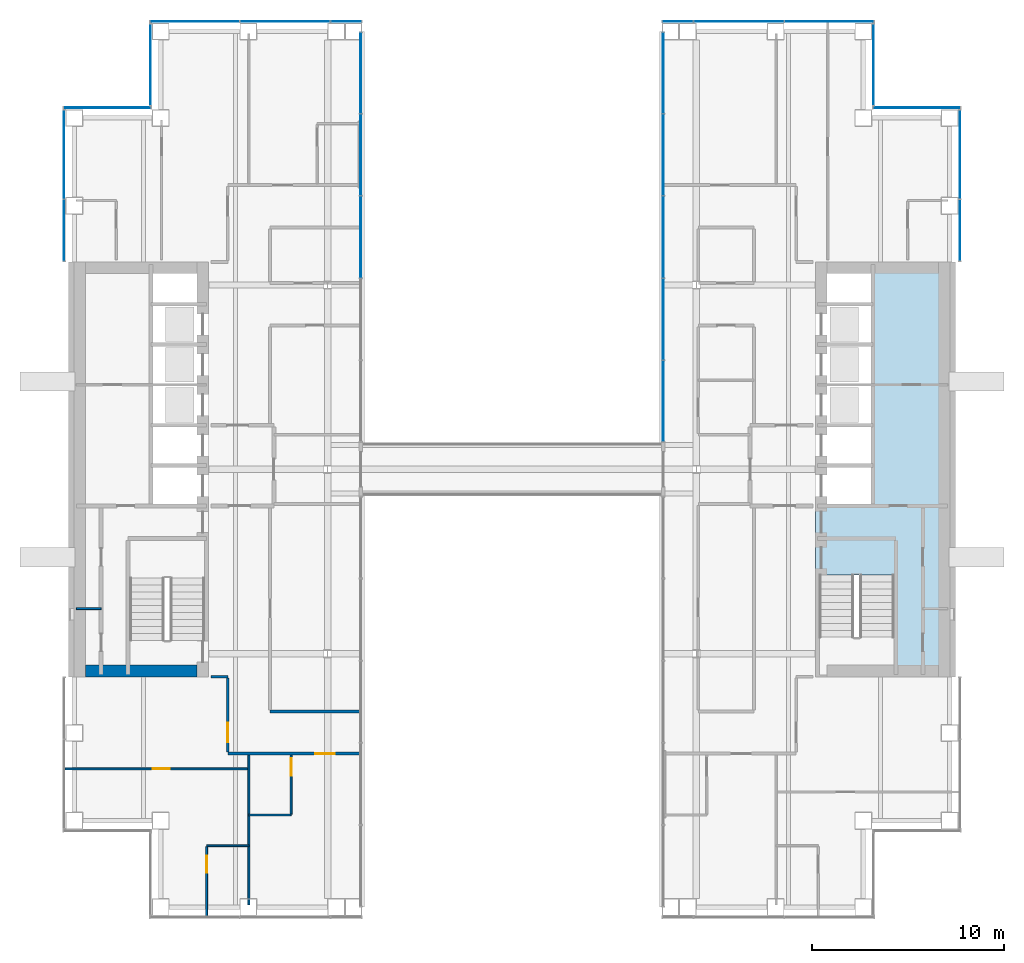
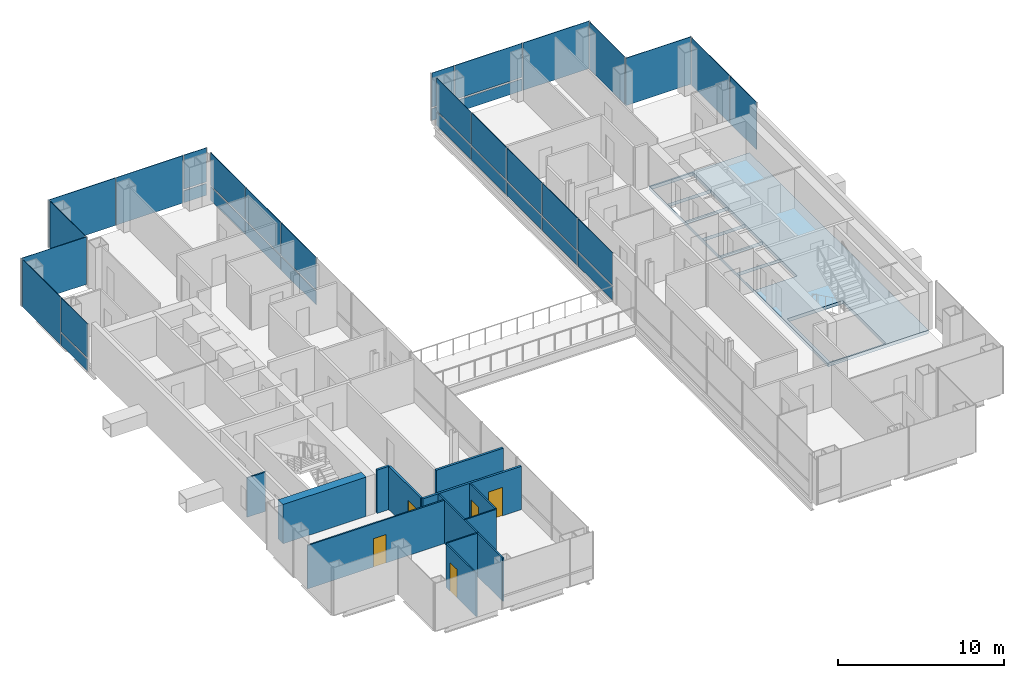
# One storey, part 11 of 17: 34 plates, 12 walls, 5 doors, 1 slab, 5 openings, 10 elements without a shape of their own.
"""IFC4 building model written with IfcOpenShell, lengths in metres."""

from ifc_helpers import new_model, si_unit, direction, frame, frame_2d, origin, origin_2d, place, context, subcontext, project, spatial, polyline, rectangle, outline, extrude, material, layer, layer_set, type_object, element, fill, aggregate, save


model = new_model("IFC4")

# Units and contexts
model_context = context("Model", 3, precision=1e-05, world=origin(), true_north=direction((0.0, 1.0)))
body_context = subcontext(model_context, "Body", "Model", "MODEL_VIEW")
ifc_project = project(units=[si_unit("LENGTHUNIT", "METRE"), si_unit("AREAUNIT", "SQUARE_METRE"), si_unit("VOLUMEUNIT", "CUBIC_METRE"), si_unit("PLANEANGLEUNIT", "RADIAN"), si_unit("MASSUNIT", "GRAM", prefix="KILO")], contexts=[model_context])

# Site, building, storey
site_placement = place(None, origin())
site = spatial("IfcSite", under=ifc_project, at=site_placement, CompositionType="ELEMENT")
building_placement = place(site_placement, origin())
building = spatial("IfcBuilding", under=site, at=building_placement, Name="Cobrizo Arcos Hotel Tower", CompositionType="ELEMENT")
storey_placement = place(building_placement, frame((0.0, 0.0, 134.5)))
storey = spatial("IfcBuildingStorey", under=building, at=storey_placement, Name="L34", CompositionType="ELEMENT", Elevation=134.5)

# Curtain wall, plate
ifc_material_1 = material(Name="Aluminium 6063-T6 anodised bronze", Category="aluminium")
curtain_wall_type_1 = type_object("IfcCurtainWallType", Name="CW-A guest facade", PredefinedType="NOTDEFINED", material=ifc_material_1)
curtain_wall_1_placement = place(storey_placement, origin())
curtain_wall_1 = element("IfcCurtainWall", 1, at=curtain_wall_1_placement, inside=storey, type_object=curtain_wall_type_1, Name="CW-A L34 N face", PredefinedType="NOTDEFINED")
ifc_material_2 = material(Name="Glass clear laminated low-e", Category="glass")
ifc_layer_1 = layer(ifc_material_2, 0.0400390625)
ifc_layer_set_1 = layer_set([ifc_layer_1], Name="CW-A glass panel")
plate_type_1 = type_object("IfcPlateType", Name="CW-A glass panel", PredefinedType="CURTAIN_PANEL", material=ifc_layer_set_1)
plate_1_placement = place(storey_placement, frame((8.639892578125, 23.324951171875, 0.990234375), z_axis=(0.0, 0.0, 1.0), x_axis=(-1.0, 0.0, 0.0)))
plate_1 = element("IfcPlate", 2, at=plate_1_placement, type_object=plate_type_1, Name="CW-A glass panel 1263", PredefinedType="CURTAIN_PANEL", context=body_context, shape_type="SweptSolid", body=[
    extrude(rectangle(XDim=1.56005859375, YDim=0.0400390625, at=origin_2d()), origin(), (0.0, 0.0, 1.0), 2.510009765625),
])

curtain_wall_2_placement = place(storey_placement, origin())
curtain_wall_2 = element("IfcCurtainWall", 3, at=curtain_wall_2_placement, inside=storey, type_object=curtain_wall_type_1, Name="CW-A L34 N face", PredefinedType="NOTDEFINED")
plate_2_placement = place(storey_placement, frame((-8.639892578125, 23.324951171875, 0.990234375), z_axis=(0.0, 0.0, 1.0), x_axis=(-1.0, 0.0, 0.0)))
plate_2 = element("IfcPlate", 4, at=plate_2_placement, type_object=plate_type_1, Name="CW-A glass panel 1264", PredefinedType="CURTAIN_PANEL", context=body_context, shape_type="SweptSolid", body=[
    extrude(rectangle(XDim=1.56005859375, YDim=0.0400390625, at=origin_2d()), origin(), (0.0, 0.0, 1.0), 2.510009765625),
])

curtain_wall_3_placement = place(storey_placement, origin())
curtain_wall_3 = element("IfcCurtainWall", 5, at=curtain_wall_3_placement, inside=storey, type_object=curtain_wall_type_1, Name="CW-A L34 W face", PredefinedType="NOTDEFINED")
plate_3_placement = place(storey_placement, frame((-23.324951171875, 12.4462890625, 0.990234375), z_axis=(0.0, 0.0, 1.0), x_axis=(0.0, -1.0, 0.0)))
plate_3 = element("IfcPlate", 6, at=plate_3_placement, type_object=plate_type_1, Name="CW-A glass panel 1270", PredefinedType="CURTAIN_PANEL", context=body_context, shape_type="SweptSolid", body=[
    extrude(rectangle(XDim=3.172607421875, YDim=0.0400390625, at=origin_2d()), origin(), (0.0, 0.0, 1.0), 2.510009765625),
])

# Curtain wall, plates
curtain_wall_4_placement = place(storey_placement, origin())
curtain_wall_4 = element("IfcCurtainWall", 7, at=curtain_wall_4_placement, inside=storey, type_object=curtain_wall_type_1, Name="CW-A L34 E face", PredefinedType="NOTDEFINED")
ifc_material_3 = material(Name="Aluminium composite panel pale metal", Category="aluminium")
ifc_layer_2 = layer(ifc_material_3, 0.0400390625)
ifc_layer_set_2 = layer_set([ifc_layer_2], Name="CW-A spandrel panel")
plate_type_2 = type_object("IfcPlateType", Name="CW-A spandrel panel", PredefinedType="CURTAIN_PANEL", material=ifc_layer_set_2)
plate_4_placement = place(storey_placement, frame((23.324951171875, 12.4462890625, 0.0), z_axis=(0.0, 0.0, 1.0), x_axis=(0.0, 1.0, 0.0)))
plate_4 = element("IfcPlate", 8, at=plate_4_placement, type_object=plate_type_2, Name="CW-A spandrel panel 1257", PredefinedType="CURTAIN_PANEL", context=body_context, shape_type="SweptSolid", body=[
    extrude(rectangle(XDim=3.172607421875, YDim=0.0400390625, at=origin_2d()), origin(), (0.0, 0.0, 1.0), 3.5),
])
plate_5_placement = place(storey_placement, frame((23.324951171875, 16.391357421875, 0.0), z_axis=(0.0, 0.0, 1.0), x_axis=(0.0, 1.0, 0.0)))
plate_5 = element("IfcPlate", 9, at=plate_5_placement, type_object=plate_type_2, Name="CW-A spandrel panel 1258", PredefinedType="CURTAIN_PANEL", context=body_context, shape_type="SweptSolid", body=[
    extrude(rectangle(XDim=4.597412109375, YDim=0.0400390625, at=origin_2d()), origin(), (0.0, 0.0, 1.0), 3.5),
])
aggregate(curtain_wall_4, [plate_4, plate_5])

# Curtain wall, plate
curtain_wall_5_placement = place(storey_placement, origin())
curtain_wall_5 = element("IfcCurtainWall", 10, at=curtain_wall_5_placement, inside=storey, type_object=curtain_wall_type_1, Name="CW-A L34 N face", PredefinedType="NOTDEFINED")
plate_6_placement = place(storey_placement, frame((21.074951171875, 18.824951171875, 0.0), z_axis=(0.0, 0.0, 1.0), x_axis=(-1.0, 0.0, 0.0)))
plate_6 = element("IfcPlate", 11, at=plate_6_placement, type_object=plate_type_2, Name="CW-A spandrel panel 1259", PredefinedType="CURTAIN_PANEL", context=body_context, shape_type="SweptSolid", body=[
    extrude(rectangle(XDim=4.530029296875, YDim=0.0400390625, at=origin_2d()), origin(), (0.0, 0.0, 1.0), 3.5),
])
aggregate(curtain_wall_5, [plate_6])

curtain_wall_6_placement = place(storey_placement, origin())
curtain_wall_6 = element("IfcCurtainWall", 12, at=curtain_wall_6_placement, inside=storey, type_object=curtain_wall_type_1, Name="CW-A L34 E face", PredefinedType="NOTDEFINED")
plate_7_placement = place(storey_placement, frame((18.824951171875, 21.074951171875, 0.0), z_axis=(0.0, 0.0, 1.0), x_axis=(0.0, 1.0, 0.0)))
plate_7 = element("IfcPlate", 13, at=plate_7_placement, type_object=plate_type_2, Name="CW-A spandrel panel 1260", PredefinedType="CURTAIN_PANEL", context=body_context, shape_type="SweptSolid", body=[
    extrude(rectangle(XDim=4.22998046875, YDim=0.0400390625, at=origin_2d()), origin(), (0.0, 0.0, 1.0), 3.5),
])
aggregate(curtain_wall_6, [plate_7])

# Plate
plate_8_placement = place(storey_placement, frame((16.5224609375, 23.324951171875, 0.0), z_axis=(0.0, 0.0, 1.0), x_axis=(-1.0, 0.0, 0.0)))
plate_8 = element("IfcPlate", 14, at=plate_8_placement, type_object=plate_type_2, Name="CW-A spandrel panel 1261", PredefinedType="CURTAIN_PANEL", context=body_context, shape_type="SweptSolid", body=[
    extrude(rectangle(XDim=4.635009765625, YDim=0.0400390625, at=origin_2d()), origin(), (0.0, 0.0, 1.0), 3.5),
])

plate_9_placement = place(storey_placement, frame((11.8125, 23.324951171875, 0.0), z_axis=(0.0, 0.0, 1.0), x_axis=(-1.0, 0.0, 0.0)))
plate_9 = element("IfcPlate", 15, at=plate_9_placement, type_object=plate_type_2, Name="CW-A spandrel panel 1262", PredefinedType="CURTAIN_PANEL", context=body_context, shape_type="SweptSolid", body=[
    extrude(rectangle(XDim=4.6650390625, YDim=0.0400390625, at=origin_2d()), origin(), (0.0, 0.0, 1.0), 0.8701171875),
])

plate_10_placement = place(storey_placement, frame((11.8125, 23.324951171875, 0.990234375), z_axis=(0.0, 0.0, 1.0), x_axis=(-1.0, 0.0, 0.0)))
plate_10 = element("IfcPlate", 16, at=plate_10_placement, type_object=plate_type_2, Name="CW-A spandrel panel 1262", PredefinedType="CURTAIN_PANEL", context=body_context, shape_type="SweptSolid", body=[
    extrude(rectangle(XDim=4.6650390625, YDim=0.0400390625, at=origin_2d()), origin(), (0.0, 0.0, 1.0), 2.510009765625),
])

plate_11_placement = place(storey_placement, frame((8.639892578125, 23.324951171875, 0.0), z_axis=(0.0, 0.0, 1.0), x_axis=(-1.0, 0.0, 0.0)))
plate_11 = element("IfcPlate", 17, at=plate_11_placement, type_object=plate_type_2, Name="CW-A spandrel panel 1263", PredefinedType="CURTAIN_PANEL", context=body_context, shape_type="SweptSolid", body=[
    extrude(rectangle(XDim=1.56005859375, YDim=0.0400390625, at=origin_2d()), origin(), (0.0, 0.0, 1.0), 0.8701171875),
])

aggregate(curtain_wall_1, [plate_8, plate_9, plate_10, plate_11, plate_1])

plate_12_placement = place(storey_placement, frame((-8.639892578125, 23.324951171875, 0.0), z_axis=(0.0, 0.0, 1.0), x_axis=(-1.0, 0.0, 0.0)))
plate_12 = element("IfcPlate", 18, at=plate_12_placement, type_object=plate_type_2, Name="CW-A spandrel panel 1264", PredefinedType="CURTAIN_PANEL", context=body_context, shape_type="SweptSolid", body=[
    extrude(rectangle(XDim=1.56005859375, YDim=0.0400390625, at=origin_2d()), origin(), (0.0, 0.0, 1.0), 0.8701171875),
])

plate_13_placement = place(storey_placement, frame((-11.8125, 23.324951171875, 0.0), z_axis=(0.0, 0.0, 1.0), x_axis=(-1.0, 0.0, 0.0)))
plate_13 = element("IfcPlate", 19, at=plate_13_placement, type_object=plate_type_2, Name="CW-A spandrel panel 1265", PredefinedType="CURTAIN_PANEL", context=body_context, shape_type="SweptSolid", body=[
    extrude(rectangle(XDim=4.6650390625, YDim=0.0400390625, at=origin_2d()), origin(), (0.0, 0.0, 1.0), 3.5),
])

plate_14_placement = place(storey_placement, frame((-16.5224609375, 23.324951171875, 0.0), z_axis=(0.0, 0.0, 1.0), x_axis=(-1.0, 0.0, 0.0)))
plate_14 = element("IfcPlate", 20, at=plate_14_placement, type_object=plate_type_2, Name="CW-A spandrel panel 1266", PredefinedType="CURTAIN_PANEL", context=body_context, shape_type="SweptSolid", body=[
    extrude(rectangle(XDim=4.635009765625, YDim=0.0400390625, at=origin_2d()), origin(), (0.0, 0.0, 1.0), 3.5),
])

aggregate(curtain_wall_2, [plate_12, plate_2, plate_13, plate_14])

# Curtain wall, plate
curtain_wall_7_placement = place(storey_placement, origin())
curtain_wall_7 = element("IfcCurtainWall", 21, at=curtain_wall_7_placement, inside=storey, type_object=curtain_wall_type_1, Name="CW-A L34 W face", PredefinedType="NOTDEFINED")
plate_15_placement = place(storey_placement, frame((-18.824951171875, 21.074951171875, 0.0), z_axis=(0.0, 0.0, 1.0), x_axis=(0.0, -1.0, 0.0)))
plate_15 = element("IfcPlate", 22, at=plate_15_placement, type_object=plate_type_2, Name="CW-A spandrel panel 1267", PredefinedType="CURTAIN_PANEL", context=body_context, shape_type="SweptSolid", body=[
    extrude(rectangle(XDim=4.22998046875, YDim=0.0400390625, at=origin_2d()), origin(), (0.0, 0.0, 1.0), 3.5),
])
aggregate(curtain_wall_7, [plate_15])

curtain_wall_8_placement = place(storey_placement, origin())
curtain_wall_8 = element("IfcCurtainWall", 23, at=curtain_wall_8_placement, inside=storey, type_object=curtain_wall_type_1, Name="CW-A L34 N face", PredefinedType="NOTDEFINED")
plate_16_placement = place(storey_placement, frame((-21.074951171875, 18.824951171875, 0.0), z_axis=(0.0, 0.0, 1.0), x_axis=(-1.0, 0.0, 0.0)))
plate_16 = element("IfcPlate", 24, at=plate_16_placement, type_object=plate_type_2, Name="CW-A spandrel panel 1268", PredefinedType="CURTAIN_PANEL", context=body_context, shape_type="SweptSolid", body=[
    extrude(rectangle(XDim=4.530029296875, YDim=0.0400390625, at=origin_2d()), origin(), (0.0, 0.0, 1.0), 3.5),
])
aggregate(curtain_wall_8, [plate_16])

# Plate
plate_17_placement = place(storey_placement, frame((-23.324951171875, 16.391357421875, 0.0), z_axis=(0.0, 0.0, 1.0), x_axis=(0.0, -1.0, 0.0)))
plate_17 = element("IfcPlate", 25, at=plate_17_placement, type_object=plate_type_2, Name="CW-A spandrel panel 1269", PredefinedType="CURTAIN_PANEL", context=body_context, shape_type="SweptSolid", body=[
    extrude(rectangle(XDim=4.597412109375, YDim=0.0400390625, at=origin_2d()), origin(), (0.0, 0.0, 1.0), 3.5),
])

plate_18_placement = place(storey_placement, frame((-23.324951171875, 12.4462890625, 0.0), z_axis=(0.0, 0.0, 1.0), x_axis=(0.0, -1.0, 0.0)))
plate_18 = element("IfcPlate", 26, at=plate_18_placement, type_object=plate_type_2, Name="CW-A spandrel panel 1270", PredefinedType="CURTAIN_PANEL", context=body_context, shape_type="SweptSolid", body=[
    extrude(rectangle(XDim=3.172607421875, YDim=0.0400390625, at=origin_2d()), origin(), (0.0, 0.0, 1.0), 0.8701171875),
])

aggregate(curtain_wall_3, [plate_17, plate_18, plate_3])

# Curtain wall, plates
curtain_wall_type_2 = type_object("IfcCurtainWallType", Name="CW-F void screen", PredefinedType="NOTDEFINED", material=ifc_material_1)
curtain_wall_9_placement = place(storey_placement, origin())
curtain_wall_9 = element("IfcCurtainWall", 27, at=curtain_wall_9_placement, inside=storey, type_object=curtain_wall_type_2, Name="CW-F L34 void screen B", PredefinedType="NOTDEFINED")
ifc_layer_3 = layer(ifc_material_2, 0.0400390625)
ifc_layer_set_3 = layer_set([ifc_layer_3], Name="CW-F glass panel")
plate_type_3 = type_object("IfcPlateType", Name="CW-F glass panel", PredefinedType="CURTAIN_PANEL", material=ifc_layer_set_3)
plate_19_placement = place(storey_placement, frame((7.875, 3.554931640625, 0.0), z_axis=(0.0, 0.0, 1.0), x_axis=(0.0, 1.0, 0.0)))
plate_19 = element("IfcPlate", 28, at=plate_19_placement, type_object=plate_type_3, Name="CW-F glass panel 2671", PredefinedType="CURTAIN_PANEL", context=body_context, shape_type="SweptSolid", body=[
    extrude(rectangle(XDim=4.18994140625, YDim=0.0400390625, at=origin_2d()), origin(), (0.0, 0.0, 1.0), 0.989990234375),
])
plate_20_placement = place(storey_placement, frame((7.875, 3.554931640625, 1.10986328125), z_axis=(0.0, 0.0, 1.0), x_axis=(0.0, 1.0, 0.0)))
plate_20 = element("IfcPlate", 29, at=plate_20_placement, type_object=plate_type_3, Name="CW-F glass panel 2671", PredefinedType="CURTAIN_PANEL", context=body_context, shape_type="SweptSolid", body=[
    extrude(rectangle(XDim=4.18994140625, YDim=0.0400390625, at=origin_2d()), origin(), (0.0, 0.0, 1.0), 2.389892578125),
])
plate_21_placement = place(storey_placement, frame((7.875, 7.820068359375, 0.0), z_axis=(0.0, 0.0, 1.0), x_axis=(0.0, 1.0, 0.0)))
plate_21 = element("IfcPlate", 30, at=plate_21_placement, type_object=plate_type_3, Name="CW-F glass panel 2672", PredefinedType="CURTAIN_PANEL", context=body_context, shape_type="SweptSolid", body=[
    extrude(rectangle(XDim=4.219970703125, YDim=0.0400390625, at=origin_2d()), origin(), (0.0, 0.0, 1.0), 0.989990234375),
])
plate_22_placement = place(storey_placement, frame((7.875, 7.820068359375, 1.10986328125), z_axis=(0.0, 0.0, 1.0), x_axis=(0.0, 1.0, 0.0)))
plate_22 = element("IfcPlate", 31, at=plate_22_placement, type_object=plate_type_3, Name="CW-F glass panel 2672", PredefinedType="CURTAIN_PANEL", context=body_context, shape_type="SweptSolid", body=[
    extrude(rectangle(XDim=4.219970703125, YDim=0.0400390625, at=origin_2d()), origin(), (0.0, 0.0, 1.0), 2.389892578125),
])
plate_23_placement = place(storey_placement, frame((7.875, 12.10009765625, 0.0), z_axis=(0.0, 0.0, 1.0), x_axis=(0.0, 1.0, 0.0)))
plate_23 = element("IfcPlate", 32, at=plate_23_placement, type_object=plate_type_3, Name="CW-F glass panel 2673", PredefinedType="CURTAIN_PANEL", context=body_context, shape_type="SweptSolid", body=[
    extrude(rectangle(XDim=4.219970703125, YDim=0.0400390625, at=origin_2d()), origin(), (0.0, 0.0, 1.0), 0.989990234375),
])
plate_24_placement = place(storey_placement, frame((7.875, 12.10009765625, 1.10986328125), z_axis=(0.0, 0.0, 1.0), x_axis=(0.0, 1.0, 0.0)))
plate_24 = element("IfcPlate", 33, at=plate_24_placement, type_object=plate_type_3, Name="CW-F glass panel 2673", PredefinedType="CURTAIN_PANEL", context=body_context, shape_type="SweptSolid", body=[
    extrude(rectangle(XDim=4.219970703125, YDim=0.0400390625, at=origin_2d()), origin(), (0.0, 0.0, 1.0), 2.389892578125),
])
plate_25_placement = place(storey_placement, frame((7.875, 16.3798828125, 0.0), z_axis=(0.0, 0.0, 1.0), x_axis=(0.0, 1.0, 0.0)))
plate_25 = element("IfcPlate", 34, at=plate_25_placement, type_object=plate_type_3, Name="CW-F glass panel 2674", PredefinedType="CURTAIN_PANEL", context=body_context, shape_type="SweptSolid", body=[
    extrude(rectangle(XDim=4.219970703125, YDim=0.0400390625, at=origin_2d()), origin(), (0.0, 0.0, 1.0), 0.989990234375),
])
plate_26_placement = place(storey_placement, frame((7.875, 16.3798828125, 1.10986328125), z_axis=(0.0, 0.0, 1.0), x_axis=(0.0, 1.0, 0.0)))
plate_26 = element("IfcPlate", 35, at=plate_26_placement, type_object=plate_type_3, Name="CW-F glass panel 2674", PredefinedType="CURTAIN_PANEL", context=body_context, shape_type="SweptSolid", body=[
    extrude(rectangle(XDim=4.219970703125, YDim=0.0400390625, at=origin_2d()), origin(), (0.0, 0.0, 1.0), 2.389892578125),
])
plate_27_placement = place(storey_placement, frame((7.875, 20.64501953125, 0.0), z_axis=(0.0, 0.0, 1.0), x_axis=(0.0, 1.0, 0.0)))
plate_27 = element("IfcPlate", 36, at=plate_27_placement, type_object=plate_type_3, Name="CW-F glass panel 2675", PredefinedType="CURTAIN_PANEL", context=body_context, shape_type="SweptSolid", body=[
    extrude(rectangle(XDim=4.18994140625, YDim=0.0400390625, at=origin_2d()), origin(), (0.0, 0.0, 1.0), 0.989990234375),
])
plate_28_placement = place(storey_placement, frame((7.875, 20.64501953125, 1.10986328125), z_axis=(0.0, 0.0, 1.0), x_axis=(0.0, 1.0, 0.0)))
plate_28 = element("IfcPlate", 37, at=plate_28_placement, type_object=plate_type_3, Name="CW-F glass panel 2675", PredefinedType="CURTAIN_PANEL", context=body_context, shape_type="SweptSolid", body=[
    extrude(rectangle(XDim=4.18994140625, YDim=0.0400390625, at=origin_2d()), origin(), (0.0, 0.0, 1.0), 2.389892578125),
])
aggregate(curtain_wall_9, [plate_19, plate_20, plate_21, plate_22, plate_23, plate_24, plate_25, plate_26, plate_27, plate_28])

curtain_wall_10_placement = place(storey_placement, origin())
curtain_wall_10 = element("IfcCurtainWall", 38, at=curtain_wall_10_placement, inside=storey, type_object=curtain_wall_type_2, Name="CW-F L34 void screen B", PredefinedType="NOTDEFINED")
plate_29_placement = place(storey_placement, frame((-7.875, 20.64501953125, 0.0), z_axis=(0.0, 0.0, 1.0), x_axis=(0.0, -1.0, 0.0)))
plate_29 = element("IfcPlate", 39, at=plate_29_placement, type_object=plate_type_3, Name="CW-F glass panel 2676", PredefinedType="CURTAIN_PANEL", context=body_context, shape_type="SweptSolid", body=[
    extrude(rectangle(XDim=4.18994140625, YDim=0.0400390625, at=origin_2d()), origin(), (0.0, 0.0, 1.0), 0.989990234375),
])
plate_30_placement = place(storey_placement, frame((-7.875, 20.64501953125, 1.10986328125), z_axis=(0.0, 0.0, 1.0), x_axis=(0.0, -1.0, 0.0)))
plate_30 = element("IfcPlate", 40, at=plate_30_placement, type_object=plate_type_3, Name="CW-F glass panel 2676", PredefinedType="CURTAIN_PANEL", context=body_context, shape_type="SweptSolid", body=[
    extrude(rectangle(XDim=4.18994140625, YDim=0.0400390625, at=origin_2d()), origin(), (0.0, 0.0, 1.0), 2.389892578125),
])
plate_31_placement = place(storey_placement, frame((-7.875, 16.3798828125, 0.0), z_axis=(0.0, 0.0, 1.0), x_axis=(0.0, -1.0, 0.0)))
plate_31 = element("IfcPlate", 41, at=plate_31_placement, type_object=plate_type_3, Name="CW-F glass panel 2677", PredefinedType="CURTAIN_PANEL", context=body_context, shape_type="SweptSolid", body=[
    extrude(rectangle(XDim=4.219970703125, YDim=0.0400390625, at=origin_2d()), origin(), (0.0, 0.0, 1.0), 0.989990234375),
])
plate_32_placement = place(storey_placement, frame((-7.875, 16.3798828125, 1.10986328125), z_axis=(0.0, 0.0, 1.0), x_axis=(0.0, -1.0, 0.0)))
plate_32 = element("IfcPlate", 42, at=plate_32_placement, type_object=plate_type_3, Name="CW-F glass panel 2677", PredefinedType="CURTAIN_PANEL", context=body_context, shape_type="SweptSolid", body=[
    extrude(rectangle(XDim=4.219970703125, YDim=0.0400390625, at=origin_2d()), origin(), (0.0, 0.0, 1.0), 2.389892578125),
])
plate_33_placement = place(storey_placement, frame((-7.875, 12.10009765625, 0.0), z_axis=(0.0, 0.0, 1.0), x_axis=(0.0, -1.0, 0.0)))
plate_33 = element("IfcPlate", 43, at=plate_33_placement, type_object=plate_type_3, Name="CW-F glass panel 2678", PredefinedType="CURTAIN_PANEL", context=body_context, shape_type="SweptSolid", body=[
    extrude(rectangle(XDim=4.219970703125, YDim=0.0400390625, at=origin_2d()), origin(), (0.0, 0.0, 1.0), 0.989990234375),
])
plate_34_placement = place(storey_placement, frame((-7.875, 12.10009765625, 1.10986328125), z_axis=(0.0, 0.0, 1.0), x_axis=(0.0, -1.0, 0.0)))
plate_34 = element("IfcPlate", 44, at=plate_34_placement, type_object=plate_type_3, Name="CW-F glass panel 2678", PredefinedType="CURTAIN_PANEL", context=body_context, shape_type="SweptSolid", body=[
    extrude(rectangle(XDim=4.219970703125, YDim=0.0400390625, at=origin_2d()), origin(), (0.0, 0.0, 1.0), 2.389892578125),
])
aggregate(curtain_wall_10, [plate_29, plate_30, plate_31, plate_32, plate_33, plate_34])

# Slab
ifc_material_4 = material(Name="Concrete f'c 50 MPa", Category="concrete")
ifc_layer_4 = layer(ifc_material_4, 0.25)
ifc_layer_set_4 = layer_set([ifc_layer_4], Name="RC core floor slab 250 f'c 50")
slab_type = type_object("IfcSlabType", Name="RC core floor slab 250 f'c 50", PredefinedType="FLOOR", material=ifc_layer_set_4)
slab_placement = place(storey_placement, frame((0.0, 0.0, -0.25)))
element("IfcSlab", 45, at=slab_placement, inside=storey, type_object=slab_type, Name="Core floor slab CS5, east core, L34", PredefinedType="FLOOR", context=body_context, shape_type="SweptSolid", body=[
    extrude(outline(polyline([(15.800048828125, 10.800048828125), (22.800048828125, 10.800048828125), (22.800048828125, -10.800048828125), (15.800048828125, -10.800048828125), (15.800048828125, 10.800048828125)]), holes=[polyline([(19.89794921875, -10.697998046875), (19.89794921875, -5.501953125), (16.001953125, -5.501953125), (16.001953125, -10.697998046875), (19.89794921875, -10.697998046875)]), polyline([(15.802001953125, 0.197998046875), (15.802001953125, -1.89794921875), (18.798095703125, -1.89794921875), (18.798095703125, 0.197998046875), (15.802001953125, 0.197998046875)]), polyline([(18.798095703125, 2.298095703125), (15.802001953125, 2.298095703125), (15.802001953125, 0.201904296875), (18.798095703125, 0.201904296875), (18.798095703125, 2.298095703125)]), polyline([(18.798095703125, 4.39794921875), (15.802001953125, 4.39794921875), (15.802001953125, 2.302001953125), (18.798095703125, 2.302001953125), (18.798095703125, 4.39794921875)]), polyline([(15.802001953125, 6.498046875), (15.802001953125, 4.402099609375), (18.798095703125, 4.402099609375), (18.798095703125, 6.498046875), (15.802001953125, 6.498046875)]), polyline([(18.798095703125, 8.597900390625), (15.802001953125, 8.597900390625), (15.802001953125, 6.501953125), (18.798095703125, 6.501953125), (18.798095703125, 8.597900390625)]), polyline([(18.798095703125, 10.697998046875), (15.802001953125, 10.697998046875), (15.802001953125, 8.60205078125), (18.798095703125, 8.60205078125), (18.798095703125, 10.697998046875)])]), origin(), (0.0, 0.0, 1.0), 0.25),
])

# Wall, opening, door
ifc_material_5 = material(Name="Gypsum board partition")
ifc_layer_5 = layer(ifc_material_5, 0.14990234375)
ifc_layer_set_5 = layer_set([ifc_layer_5], Name="Corridor wall EI 60 150")
wall_type_1 = type_object("IfcWallType", Name="Corridor wall EI 60 150", PredefinedType="PARTITIONING", material=ifc_layer_set_5)
wall_1_placement = place(storey_placement, frame((-14.800048828125, -14.800048828125, 0.0), z_axis=(0.0, 0.0, 1.0), x_axis=(1.0, 0.0, 0.0)))
wall_1 = element("IfcWall", 46, at=wall_1_placement, inside=storey, type_object=wall_type_1, Name="Partition 007", PredefinedType="PARTITIONING", context=body_context, shape_type="SweptSolid", body=[
    extrude(rectangle(XDim=6.880126953125, YDim=0.14990234375, at=frame_2d((3.43994140625, 0.0))), origin(), (0.0, 0.0, 1.0), 3.199951171875),
])
opening_1_placement = place(wall_1_placement, frame((4.56201171875, 0.0, 0.0)))
opening_1 = element("IfcOpeningElement", 47, at=opening_1_placement, cuts=wall_1, Name="Opening GD-03", PredefinedType="OPENING", context=body_context, shape_type="SweptSolid", body=[
    extrude(rectangle(XDim=1.0, YDim=2.10009765625, at=frame_2d((0.5, 1.050048828125))), frame((0.0, 0.0869140625, 0.0), z_axis=(0.0, -1.0, 0.0), x_axis=(1.0, 0.0, 0.0)), (0.0, 0.0, 1.0), 0.173828125),
])
ifc_material_6 = material(Name="Timber door leaf", Category="wood")
door_type_1 = type_object("IfcDoorType", Name="Guest room door FD30S 1000x2100", OperationType="SINGLE_SWING_LEFT", PredefinedType="DOOR", material=ifc_material_6)
door_1_placement = place(opening_1_placement, origin())
door_1 = element("IfcDoor", 48, at=door_1_placement, inside=storey, type_object=door_type_1, Name="Door GD-03", OperationType="SINGLE_SWING_RIGHT", OverallHeight=2.10009765625, OverallWidth=1.0, PredefinedType="DOOR", context=body_context, shape_type="SweptSolid", body=[
    extrude(rectangle(XDim=1.0, YDim=2.10009765625, at=frame_2d((0.5, 1.050048828125))), frame((0.0, 0.02490234375, 0.0), z_axis=(0.0, -1.0, 0.0), x_axis=(1.0, 0.0, 0.0)), (0.0, 0.0, 1.0), 0.050048828125),
])
fill(opening_1, door_1)

# Walls
wall_2_placement = place(storey_placement, frame((-12.60009765625, -12.60009765625, 0.0), z_axis=(0.0, 0.0, 1.0), x_axis=(1.0, 0.0, 0.0)))
element("IfcWall", 49, at=wall_2_placement, inside=storey, type_object=wall_type_1, Name="Partition 009", PredefinedType="PARTITIONING", context=body_context, shape_type="SweptSolid", body=[
    extrude(rectangle(XDim=4.68017578125, YDim=0.14990234375, at=frame_2d((2.340087890625, 0.0))), origin(), (0.0, 0.0, 1.0), 3.199951171875),
])
wall_3_placement = place(storey_placement, frame((-15.679931640625, -10.800048828125, 0.0), z_axis=(0.0, 0.0, 1.0), x_axis=(1.0, 0.0, 0.0)))
element("IfcWall", 50, at=wall_3_placement, inside=storey, type_object=wall_type_1, Name="Partition 011", PredefinedType="PARTITIONING", context=body_context, shape_type="SweptSolid", body=[
    extrude(rectangle(XDim=0.8798828125, YDim=0.14990234375, at=frame_2d((0.43994140625, 0.0))), origin(), (0.0, 0.0, 1.0), 3.199951171875),
])

# Wall, opening, door
wall_4_placement = place(storey_placement, frame((-14.800048828125, -14.72509765625, 0.0), z_axis=(0.0, 0.0, 1.0), x_axis=(0.0, 1.0, 0.0)))
wall_4 = element("IfcWall", 51, at=wall_4_placement, inside=storey, type_object=wall_type_1, Name="Partition 059", PredefinedType="PARTITIONING", context=body_context, shape_type="SweptSolid", body=[
    extrude(rectangle(XDim=3.85009765625, YDim=0.14990234375, at=frame_2d((1.925048828125, 0.0))), origin(), (0.0, 0.0, 1.0), 3.199951171875),
])
opening_2_placement = place(wall_4_placement, frame((0.52490234375, 0.0, 0.0)))
opening_2 = element("IfcOpeningElement", 52, at=opening_2_placement, cuts=wall_4, Name="Opening GD-04", PredefinedType="OPENING", context=body_context, shape_type="SweptSolid", body=[
    extrude(rectangle(XDim=1.0, YDim=2.10009765625, at=frame_2d((0.5, 1.050048828125))), frame((0.0, 0.0869140625, 0.0), z_axis=(0.0, -1.0, 0.0), x_axis=(1.0, 0.0, 0.0)), (0.0, 0.0, 1.0), 0.173828125),
])
door_2_placement = place(opening_2_placement, origin())
door_2 = element("IfcDoor", 53, at=door_2_placement, inside=storey, type_object=door_type_1, Name="Door GD-04", OperationType="SINGLE_SWING_LEFT", OverallHeight=2.10009765625, OverallWidth=1.0, PredefinedType="DOOR", context=body_context, shape_type="SweptSolid", body=[
    extrude(rectangle(XDim=1.0, YDim=2.10009765625, at=frame_2d((0.5, 1.050048828125))), frame((0.0, 0.02490234375, 0.0), z_axis=(0.0, -1.0, 0.0), x_axis=(1.0, 0.0, 0.0)), (0.0, 0.0, 1.0), 0.050048828125),
])
fill(opening_2, door_2)

# Walls
ifc_layer_6 = layer(ifc_material_5, 0.10009765625)
ifc_layer_set_6 = layer_set([ifc_layer_6], Name="Partition EI 30 100")
wall_type_2 = type_object("IfcWallType", Name="Partition EI 30 100", PredefinedType="PARTITIONING", material=ifc_layer_set_6)
for number, where, z_axis, x_axis, name in (
    (54, (-15.89990234375, -19.60009765625, 0.0), (0.0, 0.0, 1.0), (1.0, 0.0, 0.0), "Partition 001"),
    (55, (-13.699951171875, -18.0, 0.0), (0.0, 0.0, 1.0), (1.0, 0.0, 0.0), "Partition 003"),
):
    element("IfcWall", number, at=place(storey_placement, frame(where, z_axis=z_axis, x_axis=x_axis)), inside=storey, type_object=wall_type_2, Name=name, PredefinedType="PARTITIONING", context=body_context, shape_type="SweptSolid", body=[
        extrude(rectangle(XDim=2.199951171875, YDim=0.10009765625, at=frame_2d((1.10009765625, 0.0))), origin(), (0.0, 0.0, 1.0), 3.199951171875),
    ])

# Wall, opening, door
wall_5_placement = place(storey_placement, frame((-23.280029296875, -15.60009765625, 0.0), z_axis=(0.0, 0.0, 1.0), x_axis=(1.0, 0.0, 0.0)))
wall_5 = element("IfcWall", 56, at=wall_5_placement, inside=storey, type_object=wall_type_2, Name="Partition 006", PredefinedType="PARTITIONING", context=body_context, shape_type="SweptSolid", body=[
    extrude(rectangle(XDim=9.580078125, YDim=0.10009765625, at=frame_2d((4.7900390625, 0.0))), origin(), (0.0, 0.0, 1.0), 3.199951171875),
])
opening_3_placement = place(wall_5_placement, frame((4.568115234375, 0.0, 0.0)))
opening_3 = element("IfcOpeningElement", 57, at=opening_3_placement, cuts=wall_5, Name="Opening RD-10", PredefinedType="OPENING", context=body_context, shape_type="SweptSolid", body=[
    extrude(rectangle(XDim=0.89990234375, YDim=2.10009765625, at=frame_2d((0.449951171875, 1.050048828125))), frame((0.0, 0.06201171875, 0.0), z_axis=(0.0, -1.0, 0.0), x_axis=(1.0, 0.0, 0.0)), (0.0, 0.0, 1.0), 0.1240234375),
])
door_type_2 = type_object("IfcDoorType", Name="Room door FD30 900x2100", OperationType="SINGLE_SWING_LEFT", PredefinedType="DOOR", material=ifc_material_6)
door_3_placement = place(opening_3_placement, origin())
door_3 = element("IfcDoor", 58, at=door_3_placement, inside=storey, type_object=door_type_2, Name="Door RD-10", OperationType="SINGLE_SWING_RIGHT", OverallHeight=2.10009765625, OverallWidth=0.89990234375, PredefinedType="DOOR", context=body_context, shape_type="SweptSolid", body=[
    extrude(rectangle(XDim=0.89990234375, YDim=2.10009765625, at=frame_2d((0.449951171875, 1.050048828125))), frame((0.0, 0.02490234375, 0.0), z_axis=(0.0, -1.0, 0.0), x_axis=(1.0, 0.0, 0.0)), (0.0, 0.0, 1.0), 0.050048828125),
])
fill(opening_3, door_3)

# Wall
wall_6_placement = place(storey_placement, frame((-22.679931640625, -7.25, 0.0), z_axis=(0.0, 0.0, 1.0), x_axis=(1.0, 0.0, 0.0)))
element("IfcWall", 59, at=wall_6_placement, inside=storey, type_object=wall_type_2, Name="Partition 013", PredefinedType="PARTITIONING", context=body_context, shape_type="SweptSolid", body=[
    extrude(rectangle(XDim=1.280029296875, YDim=0.10009765625, at=frame_2d((0.64013671875, 0.0))), origin(), (0.0, 0.0, 1.0), 2.89990234375),
])

# Wall, opening, door
wall_7_placement = place(storey_placement, frame((-15.89990234375, -23.280029296875, 0.0), z_axis=(0.0, 0.0, 1.0), x_axis=(0.0, 1.0, 0.0)))
wall_7 = element("IfcWall", 60, at=wall_7_placement, inside=storey, type_object=wall_type_2, Name="Partition 058", PredefinedType="PARTITIONING", context=body_context, shape_type="SweptSolid", body=[
    extrude(rectangle(XDim=3.630126953125, YDim=0.10009765625, at=frame_2d((1.81494140625, 0.0))), origin(), (0.0, 0.0, 1.0), 3.199951171875),
])
opening_4_placement = place(wall_7_placement, frame((2.27001953125, 0.0, 0.0)))
opening_4 = element("IfcOpeningElement", 61, at=opening_4_placement, cuts=wall_7, Name="Opening ED-04", PredefinedType="OPENING", context=body_context, shape_type="SweptSolid", body=[
    extrude(rectangle(XDim=0.89990234375, YDim=2.10009765625, at=frame_2d((0.449951171875, 1.050048828125))), frame((0.0, 0.06201171875, 0.0), z_axis=(0.0, -1.0, 0.0), x_axis=(1.0, 0.0, 0.0)), (0.0, 0.0, 1.0), 0.1240234375),
])
door_type_3 = type_object("IfcDoorType", Name="En-suite door 900x2100", OperationType="SINGLE_SWING_LEFT", PredefinedType="DOOR", material=ifc_material_6)
door_4_placement = place(opening_4_placement, origin())
door_4 = element("IfcDoor", 62, at=door_4_placement, inside=storey, type_object=door_type_3, Name="Door ED-04", OperationType="SINGLE_SWING_RIGHT", OverallHeight=2.10009765625, OverallWidth=0.89990234375, PredefinedType="DOOR", context=body_context, shape_type="SweptSolid", body=[
    extrude(rectangle(XDim=0.89990234375, YDim=2.10009765625, at=frame_2d((0.449951171875, 1.050048828125))), frame((0.0, 0.02490234375, 0.0), z_axis=(0.0, -1.0, 0.0), x_axis=(1.0, 0.0, 0.0)), (0.0, 0.0, 1.0), 0.050048828125),
])
fill(opening_4, door_4)

# Wall
wall_8_placement = place(storey_placement, frame((-13.699951171875, -22.679931640625, 0.0), z_axis=(0.0, 0.0, 1.0), x_axis=(0.0, 1.0, 0.0)))
element("IfcWall", 63, at=wall_8_placement, inside=storey, type_object=wall_type_2, Name="Partition 061", PredefinedType="PARTITIONING", context=body_context, shape_type="SweptSolid", body=[
    extrude(rectangle(XDim=7.804931640625, YDim=0.10009765625, at=frame_2d((3.90234375, 0.0))), origin(), (0.0, 0.0, 1.0), 3.199951171875),
])

# Wall, opening, door
wall_9_placement = place(storey_placement, frame((-11.5, -17.949951171875, 0.0), z_axis=(0.0, 0.0, 1.0), x_axis=(0.0, 1.0, 0.0)))
wall_9 = element("IfcWall", 64, at=wall_9_placement, inside=storey, type_object=wall_type_2, Name="Partition 067", PredefinedType="PARTITIONING", context=body_context, shape_type="SweptSolid", body=[
    extrude(rectangle(XDim=3.074951171875, YDim=0.10009765625, at=frame_2d((1.53759765625, 0.0))), origin(), (0.0, 0.0, 1.0), 3.199951171875),
])
opening_5_placement = place(wall_9_placement, frame((1.99609375, 0.0, 0.0)))
opening_5 = element("IfcOpeningElement", 65, at=opening_5_placement, cuts=wall_9, Name="Opening ED-03", PredefinedType="OPENING", context=body_context, shape_type="SweptSolid", body=[
    extrude(rectangle(XDim=0.89990234375, YDim=2.10009765625, at=frame_2d((0.449951171875, 1.050048828125))), frame((0.0, 0.06201171875, 0.0), z_axis=(0.0, -1.0, 0.0), x_axis=(1.0, 0.0, 0.0)), (0.0, 0.0, 1.0), 0.1240234375),
])
door_5_placement = place(opening_5_placement, origin())
door_5 = element("IfcDoor", 66, at=door_5_placement, inside=storey, type_object=door_type_3, Name="Door ED-03", OperationType="SINGLE_SWING_LEFT", OverallHeight=2.10009765625, OverallWidth=0.89990234375, PredefinedType="DOOR", context=body_context, shape_type="SweptSolid", body=[
    extrude(rectangle(XDim=0.89990234375, YDim=2.10009765625, at=frame_2d((0.449951171875, 1.050048828125))), frame((0.0, 0.02490234375, 0.0), z_axis=(0.0, -1.0, 0.0), x_axis=(1.0, 0.0, 0.0)), (0.0, 0.0, 1.0), 0.050048828125),
])
fill(opening_5, door_5)

# Wall
ifc_layer_7 = layer(ifc_material_4, 0.60009765625)
ifc_layer_set_7 = layer_set([ifc_layer_7], Name="RC core wall 600 f'c 50")
wall_type_3 = type_object("IfcWallType", Name="RC core wall 600 f'c 50", PredefinedType="SHEAR", material=ifc_layer_set_7)
wall_10_placement = place(storey_placement, frame((-22.199951171875, -10.5, 0.0), z_axis=(0.0, 0.0, 1.0), x_axis=(1.0, 0.0, 0.0)))
element("IfcWall", 67, at=wall_10_placement, inside=storey, type_object=wall_type_3, Name="Core wall CW2, west core, south end, L34", PredefinedType="SHEAR", context=body_context, shape_type="SweptSolid", body=[
    extrude(rectangle(XDim=5.800048828125, YDim=0.60009765625, at=frame_2d((2.89990234375, 0.0))), origin(), (0.0, 0.0, 1.0), 2.89990234375),
])

save(model, "model.ifc")
